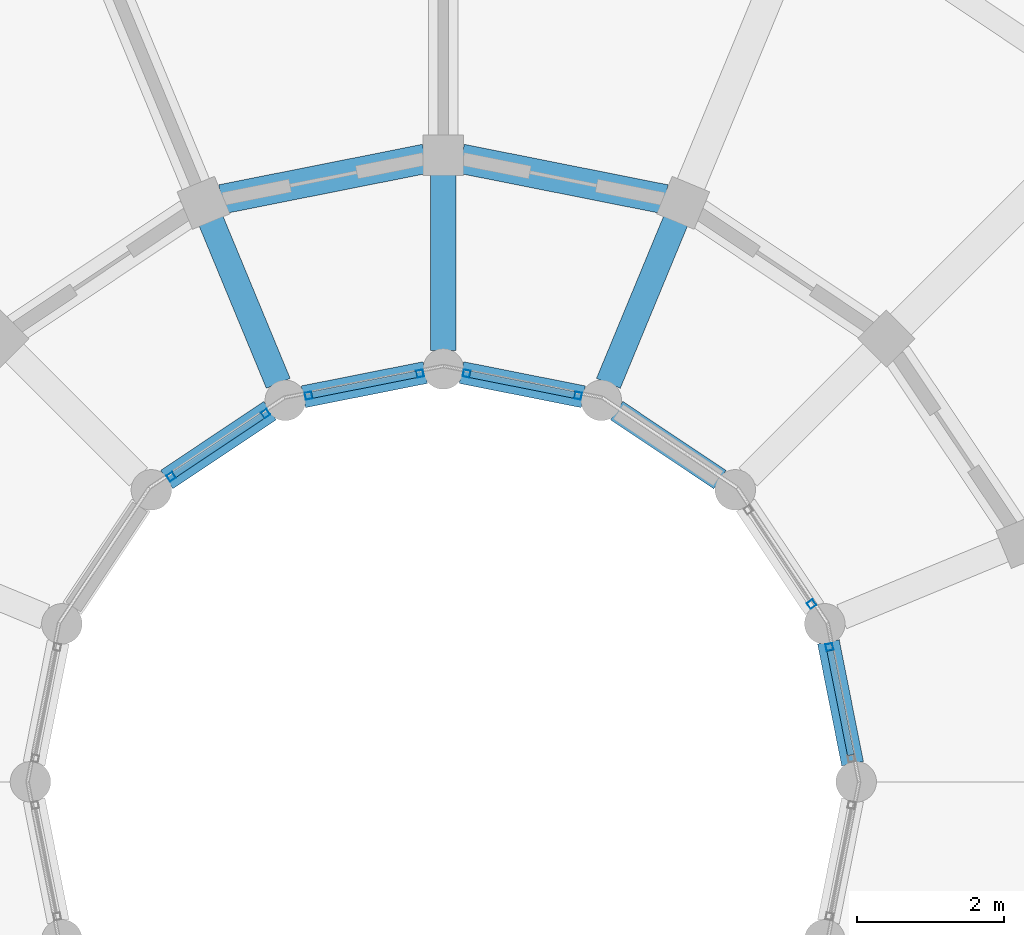
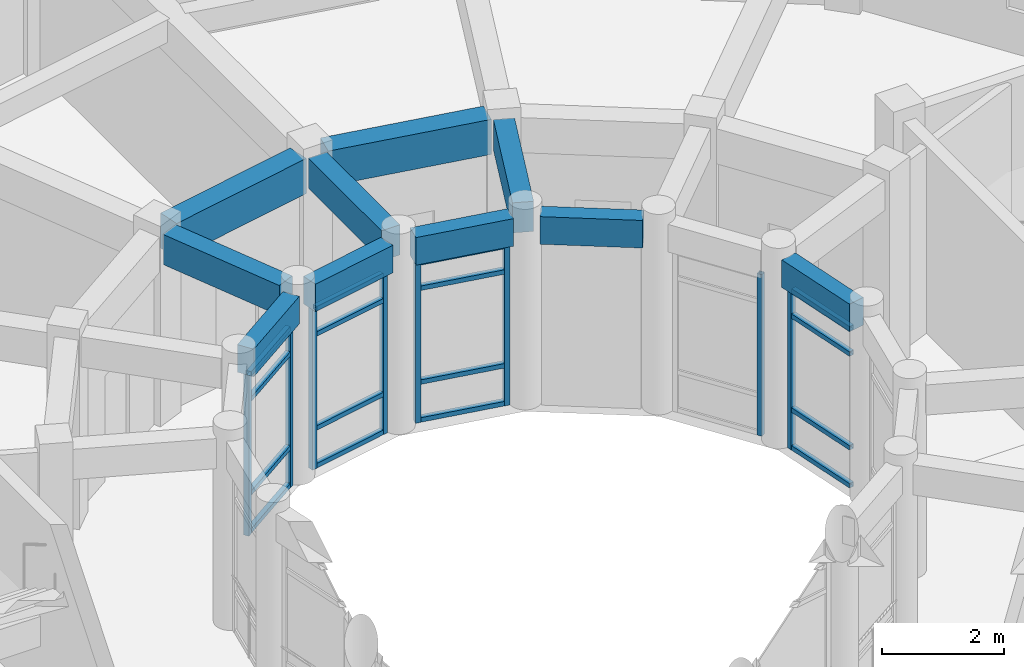
# One storey, part 33 of 112: 24 members, 10 beams, 5 elements without a shape of their own.
"""IFC4 building model written with IfcOpenShell, lengths in metres."""

from ifc_helpers import new_model, si_unit, direction, frame, origin, origin_2d, place, context, subcontext, project, spatial, rectangle, hollow_rectangle, extrude, material, material_profile, profile_set, type_object, element, aggregate, save


model = new_model("IFC4")

# Units and contexts
model_context = context("Model", 3, precision=1e-05, world=origin(), true_north=direction((0.0, 1.0)))
body_context = subcontext(model_context, "Body", "Model", "MODEL_VIEW")
ifc_project = project(units=[si_unit("LENGTHUNIT", "METRE"), si_unit("AREAUNIT", "SQUARE_METRE"), si_unit("VOLUMEUNIT", "CUBIC_METRE"), si_unit("PLANEANGLEUNIT", "RADIAN"), si_unit("MASSUNIT", "GRAM", prefix="KILO")], contexts=[model_context])

# Site, building, storey
site_placement = place(None, origin())
site = spatial("IfcSite", under=ifc_project, at=site_placement, CompositionType="ELEMENT")
building_placement = place(site_placement, origin())
building = spatial("IfcBuilding", under=site, at=building_placement, Name="Celadon Cloister-Ring School", CompositionType="ELEMENT")
storey_placement = place(building_placement, frame((0.0, 0.0, 8.5)))
storey = spatial("IfcBuildingStorey", under=building, at=storey_placement, Name="L02", CompositionType="ELEMENT", Elevation=8.5)

# Beams
ifc_material_1 = material(Name="Concrete C35/45", Category="concrete")
ifc_material_profile_1 = material_profile(ifc_material_1, rectangle(XDim=0.35009765625, YDim=0.60009765625, at=origin_2d()), Name="RC350X600")
ifc_profile_set_1 = profile_set([ifc_material_profile_1], Name="Concrete C35/45")
beam_type_1 = type_object("IfcBeamType", Name="BT-02", PredefinedType="BEAM", material=ifc_profile_set_1)
beam_1_placement = place(storey_placement, frame((23.35693359375, 104.6220703125, 3.47998046875), z_axis=(-0.382555476978, -0.923932522988, 0.0), x_axis=(0.923932522988, -0.382555476978, 0.0)))
element("IfcBeam", 1, at=beam_1_placement, inside=storey, type_object=beam_type_1, Name="Beam 0738", PredefinedType="BEAM", context=body_context, shape_type="SweptSolid", body=[
    extrude(rectangle(XDim=0.35009765625, YDim=0.60009765625, at=origin_2d()), origin(), (0.0, 0.0, 1.0), 2.399658203125),
])
beam_2_placement = place(storey_placement, frame((20.199951171875, 105.25, 3.47998046875), z_axis=(0.0, -1.0, 0.0), x_axis=(1.0, 0.0, 0.0)))
element("IfcBeam", 2, at=beam_2_placement, inside=storey, type_object=beam_type_1, Name="Beam 0740", PredefinedType="BEAM", context=body_context, shape_type="SweptSolid", body=[
    extrude(rectangle(XDim=0.35009765625, YDim=0.60009765625, at=origin_2d()), origin(), (0.0, 0.0, 1.0), 2.39990234375),
])
beam_3_placement = place(storey_placement, frame((17.04296875, 104.6220703125, 3.47998046875), z_axis=(0.382555476978, -0.923932522988, 0.0), x_axis=(0.923932522988, 0.382555476978, 0.0)))
element("IfcBeam", 3, at=beam_3_placement, inside=storey, type_object=beam_type_1, Name="Beam 0742", PredefinedType="BEAM", context=body_context, shape_type="SweptSolid", body=[
    extrude(rectangle(XDim=0.35009765625, YDim=0.60009765625, at=origin_2d()), origin(), (0.0, 0.0, 1.0), 2.399658203125),
])

# Curtain wall, member
ifc_material_2 = material(Name="Aluminium EN AW-6063 T6", Category="aluminium")
curtain_wall_type = type_object("IfcCurtainWallType", Name="CW-04", PredefinedType="USERDEFINED", material=ifc_material_2)
curtain_wall_1_placement = place(storey_placement, origin())
curtain_wall_1 = element("IfcCurtainWall", 4, at=curtain_wall_1_placement, inside=storey, type_object=curtain_wall_type, Name="Curtain Wall 0103", ObjectType="CURTAIN WALL", PredefinedType="USERDEFINED")
ifc_material_3 = material(Name="Aluminium EN AW-6063 T6", Category="aluminium")
ifc_material_profile_2 = material_profile(ifc_material_3, hollow_rectangle(XDim=0.094970703125, YDim=0.094970703125, WallThickness=0.00390625, at=origin_2d()), Name="RHS95X95X4")
ifc_profile_set_2 = profile_set([ifc_material_profile_2], Name="Aluminium EN AW-6063 T6")
member_type_1 = type_object("IfcMemberType", Name="CM-02", PredefinedType="MULLION", material=ifc_profile_set_2)
member_1_placement = place(storey_placement, frame((25.437255859375, 98.826416015625, 0.0), z_axis=(0.0, 0.0, 1.0), x_axis=(-0.980885435464, -0.194586131301, 0.0)))
member_1 = element("IfcMember", 5, at=member_1_placement, type_object=member_type_1, Name="CW-04 mullion 2", PredefinedType="MULLION", context=body_context, shape_type="SweptSolid", body=[
    extrude(hollow_rectangle(XDim=0.094970703125, YDim=0.094970703125, WallThickness=0.00390625, at=origin_2d()), origin(), (0.0, 0.0, 1.0), 3.221923828125),
])

curtain_wall_2_placement = place(storey_placement, origin())
curtain_wall_2 = element("IfcCurtainWall", 6, at=curtain_wall_2_placement, inside=storey, type_object=curtain_wall_type, Name="Curtain Wall 0104", ObjectType="CURTAIN WALL", PredefinedType="USERDEFINED")
member_2_placement = place(storey_placement, frame((25.194580078125, 99.411376953125, 0.0), z_axis=(0.0, 0.0, 1.0), x_axis=(-0.831485091394, -0.555547066224, 0.0)))
member_2 = element("IfcMember", 7, at=member_2_placement, type_object=member_type_1, Name="CW-04 mullion 1", PredefinedType="MULLION", context=body_context, shape_type="SweptSolid", body=[
    extrude(hollow_rectangle(XDim=0.094970703125, YDim=0.094970703125, WallThickness=0.00390625, at=origin_2d()), origin(), (0.0, 0.0, 1.0), 3.221923828125),
])
aggregate(curtain_wall_2, [member_2])

# Curtain wall, members
curtain_wall_3_placement = place(storey_placement, origin())
curtain_wall_3 = element("IfcCurtainWall", 8, at=curtain_wall_3_placement, inside=storey, type_object=curtain_wall_type, Name="Curtain Wall 0105", ObjectType="CURTAIN WALL", PredefinedType="USERDEFINED")
member_3_placement = place(storey_placement, frame((22.0263671875, 102.2373046875, 0.0), z_axis=(0.0, 0.0, 1.0), x_axis=(-0.194586131301, -0.980885435464, 0.0)))
member_3 = element("IfcMember", 9, at=member_3_placement, type_object=member_type_1, Name="CW-04 mullion 1", PredefinedType="MULLION", context=body_context, shape_type="SweptSolid", body=[
    extrude(hollow_rectangle(XDim=0.094970703125, YDim=0.094970703125, WallThickness=0.00390625, at=origin_2d()), origin(), (0.0, 0.0, 1.0), 3.221923828125),
])
member_4_placement = place(storey_placement, frame((20.5166015625, 102.536865234375, 0.0), z_axis=(0.0, 0.0, 1.0), x_axis=(-0.194586131301, -0.980885435464, 0.0)))
member_4 = element("IfcMember", 10, at=member_4_placement, type_object=member_type_1, Name="CW-04 mullion 2", PredefinedType="MULLION", context=body_context, shape_type="SweptSolid", body=[
    extrude(hollow_rectangle(XDim=0.094970703125, YDim=0.094970703125, WallThickness=0.00390625, at=origin_2d()), origin(), (0.0, 0.0, 1.0), 3.221923828125),
])

curtain_wall_4_placement = place(storey_placement, origin())
curtain_wall_4 = element("IfcCurtainWall", 11, at=curtain_wall_4_placement, inside=storey, type_object=curtain_wall_type, Name="Curtain Wall 0106", ObjectType="CURTAIN WALL", PredefinedType="USERDEFINED")
member_5_placement = place(storey_placement, frame((19.88330078125, 102.536865234375, 0.0), z_axis=(0.0, 0.0, 1.0), x_axis=(0.194586131301, -0.980885435464, 0.0)))
member_5 = element("IfcMember", 12, at=member_5_placement, type_object=member_type_1, Name="CW-04 mullion 1", PredefinedType="MULLION", context=body_context, shape_type="SweptSolid", body=[
    extrude(hollow_rectangle(XDim=0.094970703125, YDim=0.094970703125, WallThickness=0.00390625, at=origin_2d()), origin(), (0.0, 0.0, 1.0), 3.221923828125),
])
member_6_placement = place(storey_placement, frame((18.37353515625, 102.2373046875, 0.0), z_axis=(0.0, 0.0, 1.0), x_axis=(0.194586131301, -0.980885435464, 0.0)))
member_6 = element("IfcMember", 13, at=member_6_placement, type_object=member_type_1, Name="CW-04 mullion 2", PredefinedType="MULLION", context=body_context, shape_type="SweptSolid", body=[
    extrude(hollow_rectangle(XDim=0.094970703125, YDim=0.094970703125, WallThickness=0.00390625, at=origin_2d()), origin(), (0.0, 0.0, 1.0), 3.221923828125),
])

curtain_wall_5_placement = place(storey_placement, origin())
curtain_wall_5 = element("IfcCurtainWall", 14, at=curtain_wall_5_placement, inside=storey, type_object=curtain_wall_type, Name="Curtain Wall 0107", ObjectType="CURTAIN WALL", PredefinedType="USERDEFINED")
member_7_placement = place(storey_placement, frame((17.78857421875, 101.99462890625, 0.0), z_axis=(0.0, 0.0, 1.0), x_axis=(0.555547066224, -0.831485091394, 0.0)))
member_7 = element("IfcMember", 15, at=member_7_placement, type_object=member_type_1, Name="CW-04 mullion 1", PredefinedType="MULLION", context=body_context, shape_type="SweptSolid", body=[
    extrude(hollow_rectangle(XDim=0.094970703125, YDim=0.094970703125, WallThickness=0.00390625, at=origin_2d()), origin(), (0.0, 0.0, 1.0), 3.221923828125),
])
member_8_placement = place(storey_placement, frame((16.508544921875, 101.139404296875, 0.0), z_axis=(0.0, 0.0, 1.0), x_axis=(0.555547066224, -0.831485091394, 0.0)))
member_8 = element("IfcMember", 16, at=member_8_placement, type_object=member_type_1, Name="CW-04 mullion 2", PredefinedType="MULLION", context=body_context, shape_type="SweptSolid", body=[
    extrude(hollow_rectangle(XDim=0.094970703125, YDim=0.094970703125, WallThickness=0.00390625, at=origin_2d()), origin(), (0.0, 0.0, 1.0), 3.221923828125),
])

# Member
ifc_material_4 = material(Name="Aluminium EN AW-6063 T6", Category="aluminium")
ifc_material_profile_3 = material_profile(ifc_material_4, hollow_rectangle(XDim=0.090087890625, YDim=0.090087890625, WallThickness=0.00390625, at=origin_2d()), Name="RHS90X90X4")
ifc_profile_set_3 = profile_set([ifc_material_profile_3], Name="Aluminium EN AW-6063 T6")
member_type_2 = type_object("IfcMemberType", Name="CTM-02", PredefinedType="USERDEFINED", material=ifc_profile_set_3)
member_9_placement = place(storey_placement, frame((25.7275390625, 97.36328125, 0.044921875), z_axis=(-0.194587856315, 0.980885093257, 0.0), x_axis=(-0.980885093257, -0.194587856315, 0.0)))
member_9 = element("IfcMember", 17, at=member_9_placement, type_object=member_type_2, Name="CW-04 transom 1.1", ObjectType="TRANSOM", PredefinedType="USERDEFINED", context=body_context, shape_type="SweptSolid", body=[
    extrude(hollow_rectangle(XDim=0.090087890625, YDim=0.090087890625, WallThickness=0.00390625, at=origin_2d()), origin(), (0.0, 0.0, 1.0), 1.444091796875),
])

member_10_placement = place(storey_placement, frame((25.7275390625, 97.36328125, 0.800048828125), z_axis=(-0.194587856315, 0.980885093257, 0.0), x_axis=(-0.980885093257, -0.194587856315, 0.0)))
member_10 = element("IfcMember", 18, at=member_10_placement, type_object=member_type_2, Name="CW-04 transom 1.2", ObjectType="TRANSOM", PredefinedType="USERDEFINED", context=body_context, shape_type="SweptSolid", body=[
    extrude(hollow_rectangle(XDim=0.090087890625, YDim=0.090087890625, WallThickness=0.00390625, at=origin_2d()), origin(), (0.0, 0.0, 1.0), 1.444091796875),
])

member_11_placement = place(storey_placement, frame((25.7275390625, 97.36328125, 2.672119140625), z_axis=(-0.194587856315, 0.980885093257, 0.0), x_axis=(-0.980885093257, -0.194587856315, 0.0)))
member_11 = element("IfcMember", 19, at=member_11_placement, type_object=member_type_2, Name="CW-04 transom 1.3", ObjectType="TRANSOM", PredefinedType="USERDEFINED", context=body_context, shape_type="SweptSolid", body=[
    extrude(hollow_rectangle(XDim=0.090087890625, YDim=0.090087890625, WallThickness=0.00390625, at=origin_2d()), origin(), (0.0, 0.0, 1.0), 1.444091796875),
])

member_12_placement = place(storey_placement, frame((25.7275390625, 97.36328125, 3.177001953125), z_axis=(-0.194587856315, 0.980885093257, 0.0), x_axis=(-0.980885093257, -0.194587856315, 0.0)))
member_12 = element("IfcMember", 20, at=member_12_placement, type_object=member_type_2, Name="CW-04 transom 1.4", ObjectType="TRANSOM", PredefinedType="USERDEFINED", context=body_context, shape_type="SweptSolid", body=[
    extrude(hollow_rectangle(XDim=0.090087890625, YDim=0.090087890625, WallThickness=0.00390625, at=origin_2d()), origin(), (0.0, 0.0, 1.0), 1.444091796875),
])

aggregate(curtain_wall_1, [member_1, member_9, member_10, member_11, member_12])

member_13_placement = place(storey_placement, frame((21.979736328125, 102.24658203125, 0.044921875), z_axis=(-0.980885093257, 0.194587856315, 0.0), x_axis=(-0.194587856315, -0.980885093257, 0.0)))
member_13 = element("IfcMember", 21, at=member_13_placement, type_object=member_type_2, Name="CW-04 transom 1.1", ObjectType="TRANSOM", PredefinedType="USERDEFINED", context=body_context, shape_type="SweptSolid", body=[
    extrude(hollow_rectangle(XDim=0.090087890625, YDim=0.090087890625, WallThickness=0.00390625, at=origin_2d()), origin(), (0.0, 0.0, 1.0), 1.444091796875),
])

member_14_placement = place(storey_placement, frame((21.979736328125, 102.24658203125, 0.800048828125), z_axis=(-0.980885093257, 0.194587856315, 0.0), x_axis=(-0.194587856315, -0.980885093257, 0.0)))
member_14 = element("IfcMember", 22, at=member_14_placement, type_object=member_type_2, Name="CW-04 transom 1.2", ObjectType="TRANSOM", PredefinedType="USERDEFINED", context=body_context, shape_type="SweptSolid", body=[
    extrude(hollow_rectangle(XDim=0.090087890625, YDim=0.090087890625, WallThickness=0.00390625, at=origin_2d()), origin(), (0.0, 0.0, 1.0), 1.444091796875),
])

member_15_placement = place(storey_placement, frame((21.979736328125, 102.24658203125, 2.672119140625), z_axis=(-0.980885093257, 0.194587856315, 0.0), x_axis=(-0.194587856315, -0.980885093257, 0.0)))
member_15 = element("IfcMember", 23, at=member_15_placement, type_object=member_type_2, Name="CW-04 transom 1.3", ObjectType="TRANSOM", PredefinedType="USERDEFINED", context=body_context, shape_type="SweptSolid", body=[
    extrude(hollow_rectangle(XDim=0.090087890625, YDim=0.090087890625, WallThickness=0.00390625, at=origin_2d()), origin(), (0.0, 0.0, 1.0), 1.444091796875),
])

member_16_placement = place(storey_placement, frame((21.979736328125, 102.24658203125, 3.177001953125), z_axis=(-0.980885093257, 0.194587856315, 0.0), x_axis=(-0.194587856315, -0.980885093257, 0.0)))
member_16 = element("IfcMember", 24, at=member_16_placement, type_object=member_type_2, Name="CW-04 transom 1.4", ObjectType="TRANSOM", PredefinedType="USERDEFINED", context=body_context, shape_type="SweptSolid", body=[
    extrude(hollow_rectangle(XDim=0.090087890625, YDim=0.090087890625, WallThickness=0.00390625, at=origin_2d()), origin(), (0.0, 0.0, 1.0), 1.444091796875),
])

aggregate(curtain_wall_3, [member_3, member_4, member_13, member_14, member_15, member_16])

member_17_placement = place(storey_placement, frame((19.8369140625, 102.527587890625, 0.044921875), z_axis=(-0.98089149302, -0.194555593394, 0.0), x_axis=(0.194555593394, -0.98089149302, 0.0)))
member_17 = element("IfcMember", 25, at=member_17_placement, type_object=member_type_2, Name="CW-04 transom 1.1", ObjectType="TRANSOM", PredefinedType="USERDEFINED", context=body_context, shape_type="SweptSolid", body=[
    extrude(hollow_rectangle(XDim=0.090087890625, YDim=0.090087890625, WallThickness=0.00390625, at=origin_2d()), origin(), (0.0, 0.0, 1.0), 1.4443359375),
])

member_18_placement = place(storey_placement, frame((19.8369140625, 102.527587890625, 0.800048828125), z_axis=(-0.98089149302, -0.194555593394, 0.0), x_axis=(0.194555593394, -0.98089149302, 0.0)))
member_18 = element("IfcMember", 26, at=member_18_placement, type_object=member_type_2, Name="CW-04 transom 1.2", ObjectType="TRANSOM", PredefinedType="USERDEFINED", context=body_context, shape_type="SweptSolid", body=[
    extrude(hollow_rectangle(XDim=0.090087890625, YDim=0.090087890625, WallThickness=0.00390625, at=origin_2d()), origin(), (0.0, 0.0, 1.0), 1.4443359375),
])

member_19_placement = place(storey_placement, frame((19.8369140625, 102.527587890625, 2.672119140625), z_axis=(-0.98089149302, -0.194555593394, 0.0), x_axis=(0.194555593394, -0.98089149302, 0.0)))
member_19 = element("IfcMember", 27, at=member_19_placement, type_object=member_type_2, Name="CW-04 transom 1.3", ObjectType="TRANSOM", PredefinedType="USERDEFINED", context=body_context, shape_type="SweptSolid", body=[
    extrude(hollow_rectangle(XDim=0.090087890625, YDim=0.090087890625, WallThickness=0.00390625, at=origin_2d()), origin(), (0.0, 0.0, 1.0), 1.4443359375),
])

member_20_placement = place(storey_placement, frame((19.8369140625, 102.527587890625, 3.177001953125), z_axis=(-0.98089149302, -0.194555593394, 0.0), x_axis=(0.194555593394, -0.98089149302, 0.0)))
member_20 = element("IfcMember", 28, at=member_20_placement, type_object=member_type_2, Name="CW-04 transom 1.4", ObjectType="TRANSOM", PredefinedType="USERDEFINED", context=body_context, shape_type="SweptSolid", body=[
    extrude(hollow_rectangle(XDim=0.090087890625, YDim=0.090087890625, WallThickness=0.00390625, at=origin_2d()), origin(), (0.0, 0.0, 1.0), 1.4443359375),
])

aggregate(curtain_wall_4, [member_5, member_6, member_17, member_18, member_19, member_20])

member_21_placement = place(storey_placement, frame((17.7490234375, 101.96826171875, 0.044921875), z_axis=(-0.831451709445, -0.555597025604, 0.0), x_axis=(0.555597025604, -0.831451709445, 0.0)))
member_21 = element("IfcMember", 29, at=member_21_placement, type_object=member_type_2, Name="CW-04 transom 1.1", ObjectType="TRANSOM", PredefinedType="USERDEFINED", context=body_context, shape_type="SweptSolid", body=[
    extrude(hollow_rectangle(XDim=0.090087890625, YDim=0.090087890625, WallThickness=0.00390625, at=origin_2d()), origin(), (0.0, 0.0, 1.0), 1.4443359375),
])

member_22_placement = place(storey_placement, frame((17.7490234375, 101.96826171875, 0.800048828125), z_axis=(-0.831451709445, -0.555597025604, 0.0), x_axis=(0.555597025604, -0.831451709445, 0.0)))
member_22 = element("IfcMember", 30, at=member_22_placement, type_object=member_type_2, Name="CW-04 transom 1.2", ObjectType="TRANSOM", PredefinedType="USERDEFINED", context=body_context, shape_type="SweptSolid", body=[
    extrude(hollow_rectangle(XDim=0.090087890625, YDim=0.090087890625, WallThickness=0.00390625, at=origin_2d()), origin(), (0.0, 0.0, 1.0), 1.4443359375),
])

member_23_placement = place(storey_placement, frame((17.7490234375, 101.96826171875, 2.672119140625), z_axis=(-0.831451709445, -0.555597025604, 0.0), x_axis=(0.555597025604, -0.831451709445, 0.0)))
member_23 = element("IfcMember", 31, at=member_23_placement, type_object=member_type_2, Name="CW-04 transom 1.3", ObjectType="TRANSOM", PredefinedType="USERDEFINED", context=body_context, shape_type="SweptSolid", body=[
    extrude(hollow_rectangle(XDim=0.090087890625, YDim=0.090087890625, WallThickness=0.00390625, at=origin_2d()), origin(), (0.0, 0.0, 1.0), 1.4443359375),
])

member_24_placement = place(storey_placement, frame((17.7490234375, 101.96826171875, 3.177001953125), z_axis=(-0.831451709445, -0.555597025604, 0.0), x_axis=(0.555597025604, -0.831451709445, 0.0)))
member_24 = element("IfcMember", 32, at=member_24_placement, type_object=member_type_2, Name="CW-04 transom 1.4", ObjectType="TRANSOM", PredefinedType="USERDEFINED", context=body_context, shape_type="SweptSolid", body=[
    extrude(hollow_rectangle(XDim=0.090087890625, YDim=0.090087890625, WallThickness=0.00390625, at=origin_2d()), origin(), (0.0, 0.0, 1.0), 1.4443359375),
])

aggregate(curtain_wall_5, [member_7, member_8, member_21, member_22, member_23, member_24])

# Beams
ifc_material_5 = material(Name="Concrete C35/45", Category="concrete")
ifc_material_profile_4 = material_profile(ifc_material_5, rectangle(XDim=0.39990234375, YDim=0.699951171875, at=origin_2d()), Name="RC400X700")
ifc_profile_set_4 = profile_set([ifc_material_profile_4], Name="Concrete C35/45")
beam_type_2 = type_object("IfcBeamType", Name="GT-03", PredefinedType="USERDEFINED", material=ifc_profile_set_4)
beam_4_placement = place(storey_placement, frame((23.2080078125, 104.902099609375, 3.429931640625), z_axis=(-0.980836510336, 0.19483259479, 0.0), x_axis=(-0.19483259479, -0.980836510336, 0.0)))
element("IfcBeam", 33, at=beam_4_placement, inside=storey, type_object=beam_type_2, Name="Beam 0768", ObjectType="GIRDER", PredefinedType="USERDEFINED", context=body_context, shape_type="SweptSolid", body=[
    extrude(rectangle(XDim=0.39990234375, YDim=0.699951171875, at=origin_2d()), origin(), (0.0, 0.0, 1.0), 2.81689453125),
])
beam_5_placement = place(storey_placement, frame((19.955078125, 105.450927734375, 3.429931640625), z_axis=(-0.98083979986, -0.194816033759, 0.0), x_axis=(0.194816033759, -0.98083979986, 0.0)))
element("IfcBeam", 34, at=beam_5_placement, inside=storey, type_object=beam_type_2, Name="Beam 0772", ObjectType="GIRDER", PredefinedType="USERDEFINED", context=body_context, shape_type="SweptSolid", body=[
    extrude(rectangle(XDim=0.39990234375, YDim=0.699951171875, at=origin_2d()), origin(), (0.0, 0.0, 1.0), 2.817138671875),
])
ifc_material_6 = material(Name="Concrete C35/45", Category="concrete")
ifc_material_profile_5 = material_profile(ifc_material_6, rectangle(XDim=0.300048828125, YDim=0.550048828125, at=origin_2d()), Name="RC300X550")
ifc_profile_set_5 = profile_set([ifc_material_profile_5], Name="Concrete C35/45")
beam_type_3 = type_object("IfcBeamType", Name="SP-02", PredefinedType="SPANDREL", material=ifc_profile_set_5)
beam_6_placement = place(storey_placement, frame((25.7509765625, 97.2451171875, 3.5048828125), z_axis=(-0.194583435458, 0.980885970256, 0.0), x_axis=(-0.980885970256, -0.194583435458, 0.0)))
element("IfcBeam", 35, at=beam_6_placement, inside=storey, type_object=beam_type_3, Name="Beam 0759", PredefinedType="SPANDREL", context=body_context, shape_type="SweptSolid", body=[
    extrude(rectangle(XDim=0.300048828125, YDim=0.550048828125, at=origin_2d()), origin(), (0.0, 0.0, 1.0), 1.68505859375),
])
beam_7_placement = place(storey_placement, frame((23.951904296875, 101.09912109375, 3.5048828125), z_axis=(-0.831537153477, 0.555469137204, 0.0), x_axis=(-0.555469137204, -0.831537153477, 0.0)))
element("IfcBeam", 36, at=beam_7_placement, inside=storey, type_object=beam_type_3, Name="Beam 0765", PredefinedType="SPANDREL", context=body_context, shape_type="SweptSolid", body=[
    extrude(rectangle(XDim=0.300048828125, YDim=0.550048828125, at=origin_2d()), origin(), (0.0, 0.0, 1.0), 1.6845703125),
])
beam_8_placement = place(storey_placement, frame((22.097900390625, 102.222900390625, 3.5048828125), z_axis=(-0.980858307367, 0.194722830887, 0.0), x_axis=(-0.194722830887, -0.980858307367, 0.0)))
element("IfcBeam", 37, at=beam_8_placement, inside=storey, type_object=beam_type_3, Name="Beam 0769", PredefinedType="SPANDREL", context=body_context, shape_type="SweptSolid", body=[
    extrude(rectangle(XDim=0.300048828125, YDim=0.550048828125, at=origin_2d()), origin(), (0.0, 0.0, 1.0), 1.68505859375),
])
beam_9_placement = place(storey_placement, frame((19.955078125, 102.551025390625, 3.5048828125), z_axis=(-0.980863799725, -0.194695162728, 0.0), x_axis=(0.194695162728, -0.980863799725, 0.0)))
element("IfcBeam", 38, at=beam_9_placement, inside=storey, type_object=beam_type_3, Name="Beam 0773", PredefinedType="SPANDREL", context=body_context, shape_type="SweptSolid", body=[
    extrude(rectangle(XDim=0.300048828125, YDim=0.550048828125, at=origin_2d()), origin(), (0.0, 0.0, 1.0), 1.685302734375),
])
beam_10_placement = place(storey_placement, frame((17.84912109375, 102.034912109375, 3.5048828125), z_axis=(-0.831581859135, -0.555402207016, 0.0), x_axis=(0.555402207016, -0.831581859135, 0.0)))
element("IfcBeam", 39, at=beam_10_placement, inside=storey, type_object=beam_type_3, Name="Beam 0777", PredefinedType="SPANDREL", context=body_context, shape_type="SweptSolid", body=[
    extrude(rectangle(XDim=0.300048828125, YDim=0.550048828125, at=origin_2d()), origin(), (0.0, 0.0, 1.0), 1.684814453125),
])

save(model, "model.ifc")
